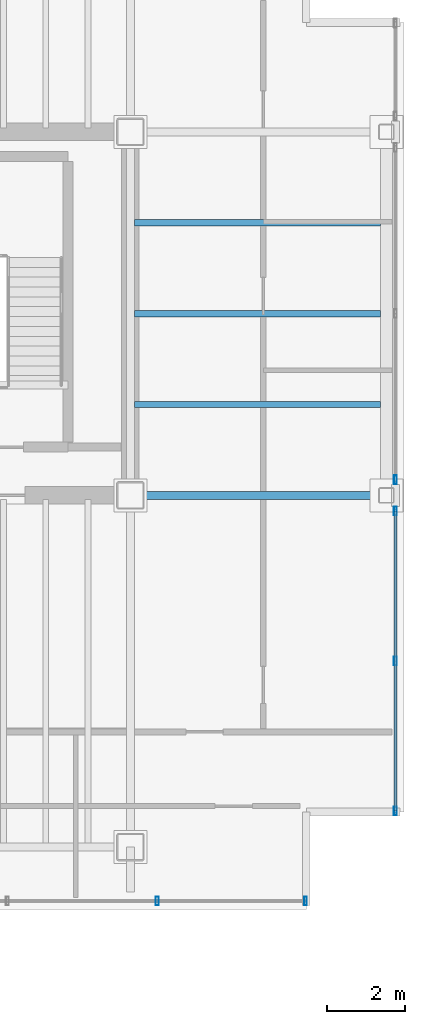
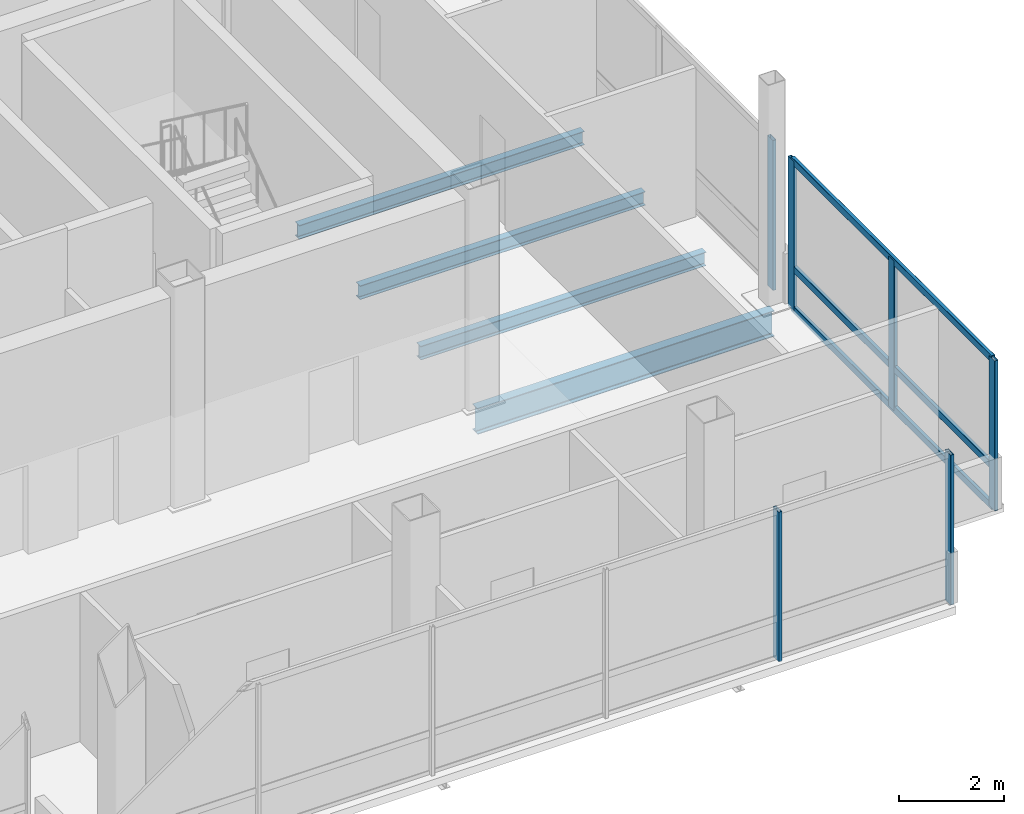
# One storey, part 12 of 17: 9 members, 4 beams, 3 elements without a shape of their own.
"""IFC4 building model written with IfcOpenShell, lengths in metres."""

from ifc_helpers import new_model, si_unit, direction, frame, origin, origin_2d, place, context, subcontext, project, spatial, hollow_rectangle, i_section, extrude, material, material_profile, profile_set, type_object, element, aggregate, save


model = new_model("IFC4")

# Units and contexts
model_context = context("Model", 3, precision=1e-05, world=origin(), true_north=direction((0.0, 1.0)))
body_context = subcontext(model_context, "Body", "Model", "MODEL_VIEW")
ifc_project = project(units=[si_unit("LENGTHUNIT", "METRE"), si_unit("AREAUNIT", "SQUARE_METRE"), si_unit("VOLUMEUNIT", "CUBIC_METRE"), si_unit("PLANEANGLEUNIT", "RADIAN"), si_unit("MASSUNIT", "GRAM", prefix="KILO")], contexts=[model_context])

# Site, building, storey
site_placement = place(None, origin())
site = spatial("IfcSite", under=ifc_project, at=site_placement, CompositionType="ELEMENT")
building_placement = place(site_placement, origin())
building = spatial("IfcBuilding", under=site, at=building_placement, Name="Noeulbin Bourse Tower", CompositionType="ELEMENT")
storey_placement = place(building_placement, frame((0.0, 0.0, 300.800048828125)))
storey = spatial("IfcBuildingStorey", under=building, at=storey_placement, Name="L75", CompositionType="ELEMENT", Elevation=300.800048828125)

# Beams
ifc_material_1 = material(Name="Steel S355", Category="steel")
ifc_material_profile_1 = material_profile(ifc_material_1, i_section(OverallWidth=0.199951171875, OverallDepth=0.60009765625, WebThickness=0.010986328125, FlangeThickness=0.01708984375, FilletRadius=0.02197265625, at=origin_2d()), Name="H-600x200x11x17", Category="LoadBearing")
ifc_profile_set_1 = profile_set([ifc_material_profile_1], Name="Steel S355")
beam_type_1 = type_object("IfcBeamType", Name="BM-GRD-600", PredefinedType="USERDEFINED", material=ifc_profile_set_1)
beam_placement = place(storey_placement, frame((44.0, 29.0, -0.47998046875), z_axis=(1.0, 0.0, 0.0), x_axis=(0.0, 1.0, 0.0)))
element("IfcBeam", 1, at=beam_placement, inside=storey, type_object=beam_type_1, Name="Tower Primary Girder EW L75-2.4", ObjectType="GIRDER", PredefinedType="USERDEFINED", context=body_context, shape_type="SweptSolid", body=[
    extrude(i_section(OverallWidth=0.199951171875, OverallDepth=0.60009765625, WebThickness=0.010986328125, FlangeThickness=0.01708984375, FilletRadius=0.02197265625, at=origin_2d()), origin(), (0.0, 0.0, 1.0), 6.550048828125),
])
ifc_material_profile_2 = material_profile(ifc_material_1, i_section(OverallWidth=0.159912109375, OverallDepth=0.320068359375, WebThickness=0.006591796875, FlangeThickness=0.010009765625, FilletRadius=0.012939453125, at=origin_2d()), Name="H-320x160x6.5x10", Category="LoadBearing")
ifc_profile_set_2 = profile_set([ifc_material_profile_2], Name="Steel S355")
beam_type_2 = type_object("IfcBeamType", Name="BM-JST-320", PredefinedType="JOIST", material=ifc_profile_set_2)
for number, where, z_axis, x_axis, name in (
    (2, (44.10009765625, 31.324951171875, -0.340087890625), (1.0, 0.0, 0.0), (0.0, 1.0, 0.0), "Wing Composite Joist L75-E31"),
    (3, (44.10009765625, 33.64990234375, -0.340087890625), (1.0, 0.0, 0.0), (0.0, 1.0, 0.0), "Wing Composite Joist L75-E32"),
    (4, (44.10009765625, 35.97509765625, -0.340087890625), (1.0, 0.0, 0.0), (0.0, 1.0, 0.0), "Wing Composite Joist L75-E33"),
):
    element("IfcBeam", number, at=place(storey_placement, frame(where, z_axis=z_axis, x_axis=x_axis)), inside=storey, type_object=beam_type_2, Name=name, PredefinedType="JOIST", context=body_context, shape_type="SweptSolid", body=[
        extrude(i_section(OverallWidth=0.159912109375, OverallDepth=0.320068359375, WebThickness=0.006591796875, FlangeThickness=0.010009765625, FilletRadius=0.012939453125, at=origin_2d()), origin(), (0.0, 0.0, 1.0), 6.2998046875),
    ])

# Curtain wall, members
ifc_material_2 = material(Name="High-Selectivity Low-Iron Glazing", Category="glass")
curtain_wall_type = type_object("IfcCurtainWallType", Name="CW-SYS-4", PredefinedType="NOTDEFINED", material=ifc_material_2)
curtain_wall_1_placement = place(storey_placement, origin())
curtain_wall_1 = element("IfcCurtainWall", 5, at=curtain_wall_1_placement, inside=storey, type_object=curtain_wall_type, Name="Unitised Curtain Wall CW-L75-S2", PredefinedType="NOTDEFINED")
ifc_material_3 = material(Name="Anodised Aluminium 6063-T6", Category="aluminium")
ifc_material_profile_3 = material_profile(ifc_material_3, hollow_rectangle(XDim=0.074951171875, YDim=0.219970703125, WallThickness=0.0048828125, InnerFilletRadius=0.00244140625, OuterFilletRadius=0.0048828125, at=origin_2d()), Name="ALU-MULL-75x220x5", Category="LoadBearing")
ifc_profile_set_3 = profile_set([ifc_material_profile_3], Name="Anodised Aluminium 6063-T6")
member_type_1 = type_object("IfcMemberType", Name="CW-SYS-4-MUL", PredefinedType="MULLION", material=ifc_profile_set_3)
member_1_placement = place(storey_placement, frame((44.68603515625, 18.6201171875, -0.02001953125), z_axis=(0.0, 0.0, 1.0), x_axis=(1.0, 0.0, 0.0)))
member_1 = element("IfcMember", 6, at=member_1_placement, type_object=member_type_1, Name="Curtain Wall Mullion CW-L75-S2-M04", PredefinedType="MULLION", context=body_context, shape_type="SweptSolid", body=[
    extrude(hollow_rectangle(XDim=0.074951171875, YDim=0.219970703125, WallThickness=0.0048828125, InnerFilletRadius=0.00244140625, OuterFilletRadius=0.0048828125, at=origin_2d()), origin(), (0.0, 0.0, 1.0), 3.5),
])
member_2_placement = place(storey_placement, frame((48.47998046875, 18.6201171875, -0.02001953125), z_axis=(0.0, 0.0, 1.0), x_axis=(1.0, 0.0, 0.0)))
member_2 = element("IfcMember", 7, at=member_2_placement, type_object=member_type_1, Name="Curtain Wall Mullion CW-L75-S2-M05", PredefinedType="MULLION", context=body_context, shape_type="SweptSolid", body=[
    extrude(hollow_rectangle(XDim=0.074951171875, YDim=0.219970703125, WallThickness=0.0048828125, InnerFilletRadius=0.00244140625, OuterFilletRadius=0.0048828125, at=origin_2d()), origin(), (0.0, 0.0, 1.0), 3.5),
])
aggregate(curtain_wall_1, [member_1, member_2])

curtain_wall_2_placement = place(storey_placement, origin())
curtain_wall_2 = element("IfcCurtainWall", 8, at=curtain_wall_2_placement, inside=storey, type_object=curtain_wall_type, Name="Unitised Curtain Wall CW-L75-E-S1", PredefinedType="NOTDEFINED")
member_3_placement = place(storey_placement, frame((50.780029296875, 20.919921875, -0.02001953125), z_axis=(0.0, 0.0, 1.0), x_axis=(1.0, 0.0, 0.0)))
member_3 = element("IfcMember", 9, at=member_3_placement, type_object=member_type_1, Name="Curtain Wall Mullion CW-L75-E-S1-M00", PredefinedType="MULLION", context=body_context, shape_type="SweptSolid", body=[
    extrude(hollow_rectangle(XDim=0.074951171875, YDim=0.219970703125, WallThickness=0.0048828125, InnerFilletRadius=0.00244140625, OuterFilletRadius=0.0048828125, at=origin_2d()), origin(), (0.0, 0.0, 1.0), 3.5),
])
member_4_placement = place(storey_placement, frame((50.780029296875, 24.760009765625, -0.02001953125), z_axis=(0.0, 0.0, 1.0), x_axis=(1.0, 0.0, 0.0)))
member_4 = element("IfcMember", 10, at=member_4_placement, type_object=member_type_1, Name="Curtain Wall Mullion CW-L75-E-S1-M01", PredefinedType="MULLION", context=body_context, shape_type="SweptSolid", body=[
    extrude(hollow_rectangle(XDim=0.074951171875, YDim=0.219970703125, WallThickness=0.0048828125, InnerFilletRadius=0.00244140625, OuterFilletRadius=0.0048828125, at=origin_2d()), origin(), (0.0, 0.0, 1.0), 3.5),
])
member_5_placement = place(storey_placement, frame((50.780029296875, 28.60009765625, -0.02001953125), z_axis=(0.0, 0.0, 1.0), x_axis=(1.0, 0.0, 0.0)))
member_5 = element("IfcMember", 11, at=member_5_placement, type_object=member_type_1, Name="Curtain Wall Mullion CW-L75-E-S1-M02", PredefinedType="MULLION", context=body_context, shape_type="SweptSolid", body=[
    extrude(hollow_rectangle(XDim=0.074951171875, YDim=0.219970703125, WallThickness=0.0048828125, InnerFilletRadius=0.00244140625, OuterFilletRadius=0.0048828125, at=origin_2d()), origin(), (0.0, 0.0, 1.0), 3.5),
])

# Curtain wall, member
curtain_wall_3_placement = place(storey_placement, origin())
curtain_wall_3 = element("IfcCurtainWall", 12, at=curtain_wall_3_placement, inside=storey, type_object=curtain_wall_type, Name="Unitised Curtain Wall CW-L75-E-S2", PredefinedType="NOTDEFINED")
member_6_placement = place(storey_placement, frame((50.780029296875, 29.39990234375, -0.02001953125), z_axis=(0.0, 0.0, 1.0), x_axis=(1.0, 0.0, 0.0)))
member_6 = element("IfcMember", 13, at=member_6_placement, type_object=member_type_1, Name="Curtain Wall Mullion CW-L75-E-S2-M00", PredefinedType="MULLION", context=body_context, shape_type="SweptSolid", body=[
    extrude(hollow_rectangle(XDim=0.074951171875, YDim=0.219970703125, WallThickness=0.0048828125, InnerFilletRadius=0.00244140625, OuterFilletRadius=0.0048828125, at=origin_2d()), origin(), (0.0, 0.0, 1.0), 3.5),
])
aggregate(curtain_wall_3, [member_6])

# Member
ifc_material_profile_4 = material_profile(ifc_material_3, hollow_rectangle(XDim=0.074951171875, YDim=0.159912109375, WallThickness=0.0048828125, InnerFilletRadius=0.00244140625, OuterFilletRadius=0.0048828125, at=origin_2d()), Name="ALU-TRAN-75x160x5", Category="LoadBearing")
ifc_profile_set_4 = profile_set([ifc_material_profile_4], Name="Anodised Aluminium 6063-T6")
member_type_2 = type_object("IfcMemberType", Name="CW-SYS-4-TRN", PredefinedType="USERDEFINED", material=ifc_profile_set_4)
member_7_placement = place(storey_placement, frame((50.780029296875, 20.929931640625, 0.010009765625), z_axis=(0.0, 1.0, 0.0), x_axis=(-1.0, 0.0, 0.0)))
member_7 = element("IfcMember", 14, at=member_7_placement, type_object=member_type_2, Name="Curtain Wall Transom CW-L75-E-S1-T00", ObjectType="TRANSOM", PredefinedType="USERDEFINED", context=body_context, shape_type="SweptSolid", body=[
    extrude(hollow_rectangle(XDim=0.074951171875, YDim=0.159912109375, WallThickness=0.0048828125, InnerFilletRadius=0.00244140625, OuterFilletRadius=0.0048828125, at=origin_2d()), origin(), (0.0, 0.0, 1.0), 7.66015625),
])

member_8_placement = place(storey_placement, frame((50.780029296875, 20.929931640625, 0.949951171875), z_axis=(0.0, 1.0, 0.0), x_axis=(-1.0, 0.0, 0.0)))
member_8 = element("IfcMember", 15, at=member_8_placement, type_object=member_type_2, Name="Curtain Wall Transom CW-L75-E-S1-T01", ObjectType="TRANSOM", PredefinedType="USERDEFINED", context=body_context, shape_type="SweptSolid", body=[
    extrude(hollow_rectangle(XDim=0.074951171875, YDim=0.159912109375, WallThickness=0.0048828125, InnerFilletRadius=0.00244140625, OuterFilletRadius=0.0048828125, at=origin_2d()), origin(), (0.0, 0.0, 1.0), 7.66015625),
])

member_9_placement = place(storey_placement, frame((50.780029296875, 20.929931640625, 3.449951171875), z_axis=(0.0, 1.0, 0.0), x_axis=(-1.0, 0.0, 0.0)))
member_9 = element("IfcMember", 16, at=member_9_placement, type_object=member_type_2, Name="Curtain Wall Transom CW-L75-E-S1-T02", ObjectType="TRANSOM", PredefinedType="USERDEFINED", context=body_context, shape_type="SweptSolid", body=[
    extrude(hollow_rectangle(XDim=0.074951171875, YDim=0.159912109375, WallThickness=0.0048828125, InnerFilletRadius=0.00244140625, OuterFilletRadius=0.0048828125, at=origin_2d()), origin(), (0.0, 0.0, 1.0), 7.66015625),
])

aggregate(curtain_wall_2, [member_3, member_4, member_5, member_7, member_8, member_9])

save(model, "model.ifc")
